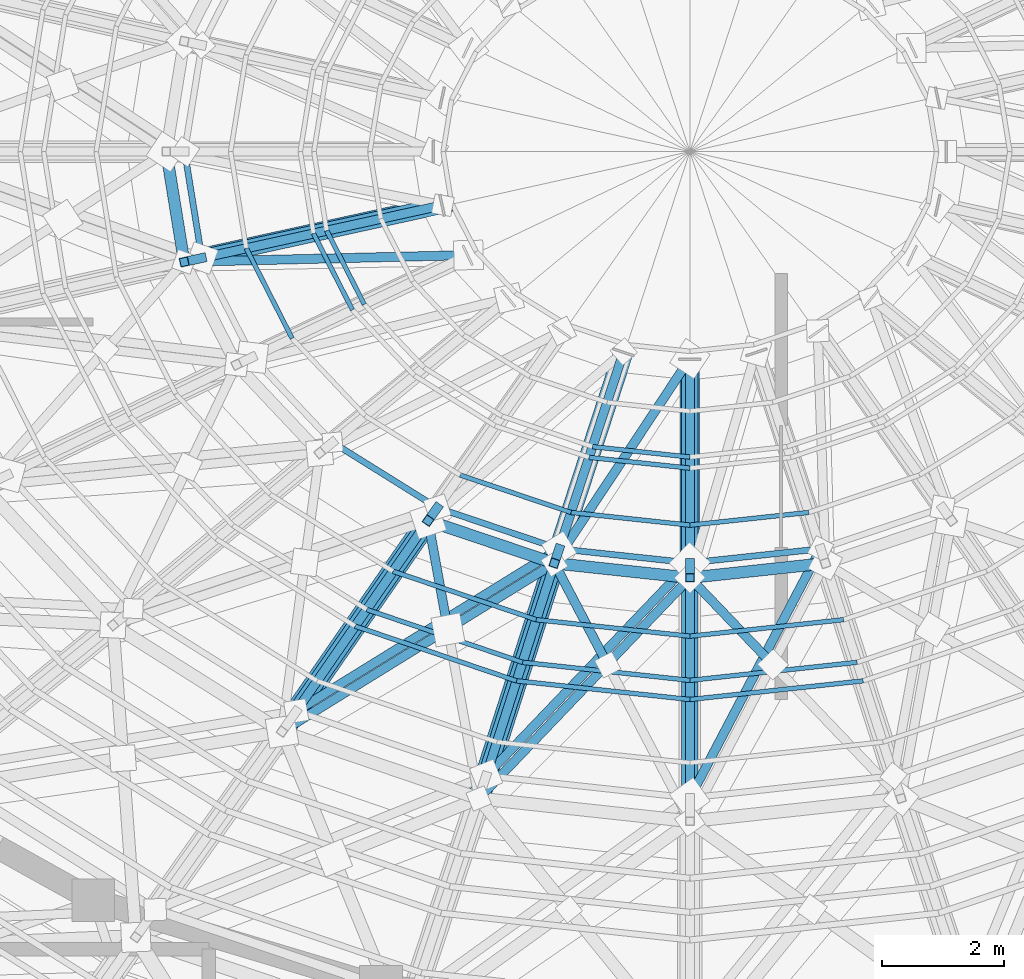
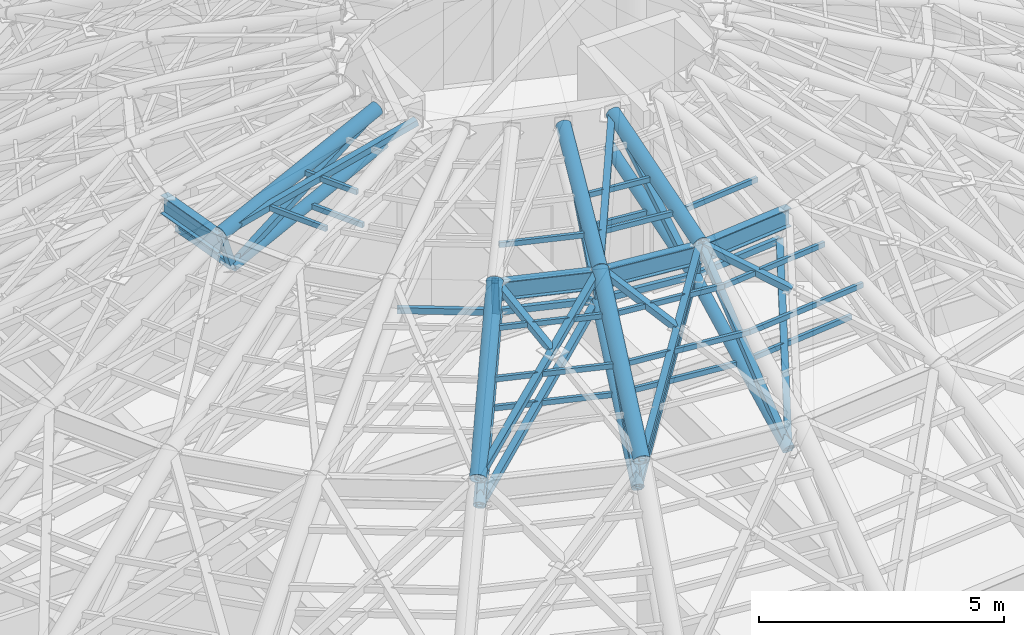
# One storey, part 10 of 50: 52 members, 4 beams.
"""IFC4 building model written with IfcOpenShell, lengths in metres."""

from ifc_helpers import new_model, si_unit, direction, frame, origin, origin_2d, place, context, subcontext, project, spatial, hollow_rectangle, hollow_circle, i_section, extrude, material, material_profile, profile_set, type_object, element, save


model = new_model("IFC4")

# Units and contexts
model_context = context("Model", 3, precision=1e-05, world=origin(), true_north=direction((0.0, 1.0)))
body_context = subcontext(model_context, "Body", "Model", "MODEL_VIEW")
ifc_project = project(units=[si_unit("LENGTHUNIT", "METRE"), si_unit("AREAUNIT", "SQUARE_METRE"), si_unit("VOLUMEUNIT", "CUBIC_METRE"), si_unit("PLANEANGLEUNIT", "RADIAN"), si_unit("MASSUNIT", "GRAM", prefix="KILO")], contexts=[model_context])

# Site, building, storey
site_placement = place(None, origin())
site = spatial("IfcSite", under=ifc_project, at=site_placement, CompositionType="ELEMENT")
building_placement = place(site_placement, origin())
building = spatial("IfcBuilding", under=site, at=building_placement, Name="Cinderbank Siding Concert Hall", CompositionType="ELEMENT")
storey_placement = place(building_placement, frame((0.0, 0.0, 23.699951171875)))
storey = spatial("IfcBuildingStorey", under=building, at=storey_placement, Name="L06", CompositionType="ELEMENT", Elevation=23.699951171875)

# Beams
ifc_material_1 = material(Name="Structural steel AS/NZS 3679.1 Grade 350 (340 MPa)", Category="steel")
ifc_material_profile_1 = material_profile(ifc_material_1, i_section(OverallWidth=0.19091796875, OverallDepth=0.46044921875, WebThickness=0.010009765625, FlangeThickness=0.01611328125, at=origin_2d()), Name="460UB82.1", Category="LoadBearing")
ifc_profile_set_1 = profile_set([ifc_material_profile_1], Name="Structural steel AS/NZS 3679.1 Grade 350 (340 MPa)")
beam_type = type_object("IfcBeamType", Name="BM-UB460H 460UB82.1", PredefinedType="BEAM", material=ifc_profile_set_1)
beam_1_placement = place(storey_placement, frame((113.39990234375, 44.0, 15.769775390625), z_axis=(0.159759377385, -0.987155986325, 0.0), x_axis=(0.987155986325, 0.159759377385, 0.0)))
element("IfcBeam", 1, at=beam_1_placement, inside=storey, type_object=beam_type, Name="L06 Beam BM-UB460H #2100", PredefinedType="BEAM", context=body_context, shape_type="SweptSolid", body=[
    extrude(i_section(OverallWidth=0.19091796875, OverallDepth=0.46044921875, WebThickness=0.010009765625, FlangeThickness=0.01611328125, at=origin_2d()), origin(), (0.0, 0.0, 1.0), 1.83544921875),
])
beam_2_placement = place(storey_placement, frame((117.699951171875, 37.937744140625, 15.769775390625), z_axis=(0.947607117252, -0.319438180769, 0.0), x_axis=(0.319438180769, 0.947607117252, 0.0)))
element("IfcBeam", 2, at=beam_2_placement, inside=storey, type_object=beam_type, Name="L06 Beam BM-UB460H #2103", PredefinedType="BEAM", context=body_context, shape_type="SweptSolid", body=[
    extrude(i_section(OverallWidth=0.19091796875, OverallDepth=0.46044921875, WebThickness=0.010009765625, FlangeThickness=0.01611328125, at=origin_2d()), origin(), (0.0, 0.0, 1.0), 2.18896484375),
])
for number, where, z_axis, x_axis, name in (
    (3, (119.774169921875, 37.238525390625, 15.769775390625), (0.994307090793, -0.106552377723, 0.0), (0.106552377723, 0.994307090793, 0.0), "L06 Beam BM-UB460H #2104"),
    (4, (122.0, 37.0, 15.769775390625), (0.994307090793, 0.106552377723, 0.0), (-0.106552377723, 0.994307090793, 0.0), "L06 Beam BM-UB460H #2105"),
):
    element("IfcBeam", number, at=place(storey_placement, frame(where, z_axis=z_axis, x_axis=x_axis)), inside=storey, type_object=beam_type, Name=name, PredefinedType="BEAM", context=body_context, shape_type="SweptSolid", body=[
        extrude(i_section(OverallWidth=0.19091796875, OverallDepth=0.46044921875, WebThickness=0.010009765625, FlangeThickness=0.01611328125, at=origin_2d()), origin(), (0.0, 0.0, 1.0), 2.238525390625),
    ])

# Members
ifc_material_2 = material(Name="Structural steel hollow section AS/NZS 1163 Grade C350L0 (350 MPa)", Category="steel")
ifc_material_profile_2 = material_profile(ifc_material_2, hollow_rectangle(XDim=0.14990234375, YDim=0.14990234375, WallThickness=0.008056640625, at=origin_2d()), Name="150x150x8.0SHS", Category="LoadBearing")
ifc_profile_set_2 = profile_set([ifc_material_profile_2], Name="Structural steel hollow section AS/NZS 1163 Grade C350L0 (350 MPa)")
member_type_1 = type_object("IfcMemberType", Name="BR-SHS150 150x150x8.0SHS Roof Truss", PredefinedType="BRACE", material=ifc_profile_set_2)
member_1_placement = place(storey_placement, frame((115.534423828125, 34.80712890625, 13.050048828125), z_axis=(0.44966610058, 0.650064082045, 0.612549661027), x_axis=(-0.822416090957, 0.568886432722, 0.0)))
element("IfcMember", 5, at=member_1_placement, inside=storey, type_object=member_type_1, Name="L06 Diagonal Brace BR-SHS150 #DWBD-BR-SHS150-L06-1586", PredefinedType="BRACE", context=body_context, shape_type="SweptSolid", body=[
    extrude(hollow_rectangle(XDim=0.14990234375, YDim=0.14990234375, WallThickness=0.008056640625, at=origin_2d()), origin(), (0.0, 0.0, 1.0), 4.81591796875),
])
member_2_placement = place(storey_placement, frame((115.300048828125, 34.4736328125, 14.0), z_axis=(0.79512586973, 0.491367481976, 0.355433325594), x_axis=(-0.525694470072, 0.850673453292, 0.0)))
element("IfcMember", 6, at=member_2_placement, inside=storey, type_object=member_type_1, Name="L06 Diagonal Brace BR-SHS150 #DBRO-BR-SHS150-L06-1593", PredefinedType="BRACE", context=body_context, shape_type="SweptSolid", body=[
    extrude(hollow_rectangle(XDim=0.14990234375, YDim=0.14990234375, WallThickness=0.008056640625, at=origin_2d()), origin(), (0.0, 0.0, 1.0), 5.626953125),
])
member_3_placement = place(storey_placement, frame((118.022216796875, 36.17041015625, 15.225341796875), z_axis=(-0.164725535954, 0.903369814222, 0.395965246654), x_axis=(-0.983778457239, -0.17938770045, 0.0)))
element("IfcMember", 7, at=member_3_placement, inside=storey, type_object=member_type_1, Name="L06 Diagonal Brace BR-SHS150 #DBRO-BR-SHS150-L06-1594-S145", PredefinedType="BRACE", context=body_context, shape_type="SweptSolid", body=[
    extrude(hollow_rectangle(XDim=0.14990234375, YDim=0.14990234375, WallThickness=0.008056640625, at=origin_2d()), origin(), (0.0, 0.0, 1.0), 1.956298828125),
])
member_4_placement = place(storey_placement, frame((115.534423828125, 34.80712890625, 13.050048828125), z_axis=(0.79145995564, 0.489062730859, 0.366618035431), x_axis=(-0.525663894449, 0.850692347487, 0.0)))
element("IfcMember", 8, at=member_4_placement, inside=storey, type_object=member_type_1, Name="L06 Diagonal Brace BR-SHS150 #DBRI-BR-SHS150-L06-1595", PredefinedType="BRACE", context=body_context, shape_type="SweptSolid", body=[
    extrude(hollow_rectangle(XDim=0.14990234375, YDim=0.14990234375, WallThickness=0.008056640625, at=origin_2d()), origin(), (0.0, 0.0, 1.0), 5.455322265625),
])
member_5_placement = place(storey_placement, frame((118.6533203125, 33.74658203125, 13.050048828125), z_axis=(0.238143684101, 0.741923135199, 0.626767618164), x_axis=(-0.95215246519, 0.305623433384, 0.0)))
element("IfcMember", 9, at=member_5_placement, inside=storey, type_object=member_type_1, Name="L06 Diagonal Brace BR-SHS150 #DWBD-BR-SHS150-L06-1598", PredefinedType="BRACE", context=body_context, shape_type="SweptSolid", body=[
    extrude(hollow_rectangle(XDim=0.14990234375, YDim=0.14990234375, WallThickness=0.008056640625, at=origin_2d()), origin(), (0.0, 0.0, 1.0), 4.70654296875),
])
member_6_placement = place(storey_placement, frame((118.53173828125, 33.374755859375, 14.0), z_axis=(0.64214700107, 0.671212221518, 0.370299044964), x_axis=(-0.722578444906, 0.691288934496, 0.0)))
element("IfcMember", 10, at=member_6_placement, inside=storey, type_object=member_type_1, Name="L06 Diagonal Brace BR-SHS150 #DBRO-BR-SHS150-L06-1605", PredefinedType="BRACE", context=body_context, shape_type="SweptSolid", body=[
    extrude(hollow_rectangle(XDim=0.14990234375, YDim=0.14990234375, WallThickness=0.008056640625, at=origin_2d()), origin(), (0.0, 0.0, 1.0), 5.401123046875),
])
member_7_placement = place(storey_placement, frame((120.637451171875, 35.594482421875, 15.224365234375), z_axis=(-0.428981614241, 0.816957633002, 0.385428333835), x_axis=(-0.885362728247, -0.464900892052, 0.0)))
element("IfcMember", 11, at=member_7_placement, inside=storey, type_object=member_type_1, Name="L06 Diagonal Brace BR-SHS150 #DBRO-BR-SHS150-L06-1606-S146", PredefinedType="BRACE", context=body_context, shape_type="SweptSolid", body=[
    extrude(hollow_rectangle(XDim=0.14990234375, YDim=0.14990234375, WallThickness=0.008056640625, at=origin_2d()), origin(), (0.0, 0.0, 1.0), 2.012451171875),
])
member_8_placement = place(storey_placement, frame((118.6533203125, 33.74658203125, 13.050048828125), z_axis=(0.638883967796, 0.667873304532, 0.381801682535), x_axis=(-0.72261557298, 0.691250123824, 0.0)))
element("IfcMember", 12, at=member_8_placement, inside=storey, type_object=member_type_1, Name="L06 Diagonal Brace BR-SHS150 #DBRI-BR-SHS150-L06-1607", PredefinedType="BRACE", context=body_context, shape_type="SweptSolid", body=[
    extrude(hollow_rectangle(XDim=0.14990234375, YDim=0.14990234375, WallThickness=0.008056640625, at=origin_2d()), origin(), (0.0, 0.0, 1.0), 5.23828125),
])
member_9_placement = place(storey_placement, frame((122.0, 33.385009765625, 13.050048828125), z_axis=(0.0, 0.774772611985, 0.632239985859), x_axis=(-1.0, 0.0, 0.0)))
element("IfcMember", 13, at=member_9_placement, inside=storey, type_object=member_type_1, Name="L06 Diagonal Brace BR-SHS150 #DWBD-BR-SHS150-L06-1610", PredefinedType="BRACE", context=body_context, shape_type="SweptSolid", body=[
    extrude(hollow_rectangle(XDim=0.14990234375, YDim=0.14990234375, WallThickness=0.008056640625, at=origin_2d()), origin(), (0.0, 0.0, 1.0), 4.665771484375),
])
member_10_placement = place(storey_placement, frame((123.346435546875, 35.592529296875, 15.2236328125), z_axis=(-0.642135488706, 0.671244078403, 0.37026126094), x_axis=(-0.722601023595, -0.691265333066, 0.0)))
element("IfcMember", 14, at=member_10_placement, inside=storey, type_object=member_type_1, Name="L06 Diagonal Brace BR-SHS150 #DBRO-BR-SHS150-L06-1618-S147", PredefinedType="BRACE", context=body_context, shape_type="SweptSolid", body=[
    extrude(hollow_rectangle(XDim=0.14990234375, YDim=0.14990234375, WallThickness=0.008056640625, at=origin_2d()), origin(), (0.0, 0.0, 1.0), 2.096923828125),
])
member_11_placement = place(storey_placement, frame((122.0, 33.385009765625, 13.050048828125), z_axis=(0.426677007954, 0.812471006394, 0.397287798268), x_axis=(-0.885339715406, 0.464944715343, 0.0)))
element("IfcMember", 15, at=member_11_placement, inside=storey, type_object=member_type_1, Name="L06 Diagonal Brace BR-SHS150 #DBRI-BR-SHS150-L06-1619", PredefinedType="BRACE", context=body_context, shape_type="SweptSolid", body=[
    extrude(hollow_rectangle(XDim=0.14990234375, YDim=0.14990234375, WallThickness=0.008056640625, at=origin_2d()), origin(), (0.0, 0.0, 1.0), 5.0341796875),
])
member_12_placement = place(storey_placement, frame((113.98388671875, 42.251708984375, 15.050048828125), z_axis=(0.871638691427, 0.191183253709, 0.451325774922), x_axis=(-0.214244713717, 0.976780017529, 0.0)))
element("IfcMember", 16, at=member_12_placement, inside=storey, type_object=member_type_1, Name="L06 Diagonal Brace BR-SHS150 #DWBD-BR-SHS150-L06-1812", PredefinedType="BRACE", context=body_context, shape_type="SweptSolid", body=[
    extrude(hollow_rectangle(XDim=0.14990234375, YDim=0.14990234375, WallThickness=0.008056640625, at=origin_2d()), origin(), (0.0, 0.0, 1.0), 4.542236328125),
])
member_13_placement = place(storey_placement, frame((113.98388671875, 42.251708984375, 15.050048828125), z_axis=(-0.292091130576, -0.063764646473, 0.954262459337), x_axis=(0.213280969958, -0.976990904693, 0.0)))
element("IfcMember", 17, at=member_13_placement, inside=storey, type_object=member_type_1, Name="L06 Diagonal Brace BR-SHS150 #DWBV-BR-SHS150-L06-1815", PredefinedType="BRACE", context=body_context, shape_type="SweptSolid", body=[
    extrude(hollow_rectangle(XDim=0.14990234375, YDim=0.14990234375, WallThickness=0.008056640625, at=origin_2d()), origin(), (0.0, 0.0, 1.0), 0.995361328125),
])
member_14_placement = place(storey_placement, frame((113.693115234375, 42.188232421875, 16.0), z_axis=(0.973090129252, 0.023300845883, 0.229243693335), x_axis=(-0.023938346527, 0.999713436724, 0.0)))
element("IfcMember", 18, at=member_14_placement, inside=storey, type_object=member_type_1, Name="L06 Diagonal Brace BR-SHS150 #DBRO-BR-SHS150-L06-1819", PredefinedType="BRACE", context=body_context, shape_type="SweptSolid", body=[
    extrude(hollow_rectangle(XDim=0.14990234375, YDim=0.14990234375, WallThickness=0.008056640625, at=origin_2d()), origin(), (0.0, 0.0, 1.0), 4.798828125),
])
member_15_placement = place(storey_placement, frame((117.8505859375, 38.14990234375, 15.050048828125), z_axis=(-0.152937825972, -0.215401897519, 0.964475009491), x_axis=(0.815378555439, -0.578928157314, 0.0)))
element("IfcMember", 19, at=member_15_placement, inside=storey, type_object=member_type_1, Name="L06 Diagonal Brace BR-SHS150 #DWBV-BR-SHS150-L06-1845", PredefinedType="BRACE", context=body_context, shape_type="SweptSolid", body=[
    extrude(hollow_rectangle(XDim=0.14990234375, YDim=0.14990234375, WallThickness=0.008056640625, at=origin_2d()), origin(), (0.0, 0.0, 1.0), 0.98486328125),
])
member_16_placement = place(storey_placement, frame((119.85205078125, 37.47509765625, 15.050048828125), z_axis=(0.266672743613, 0.814499309414, 0.515244139005), x_axis=(-0.950359410933, 0.311154286569, 0.0)))
element("IfcMember", 20, at=member_16_placement, inside=storey, type_object=member_type_1, Name="L06 Diagonal Brace BR-SHS150 #DWBD-BR-SHS150-L06-1852", PredefinedType="BRACE", context=body_context, shape_type="SweptSolid", body=[
    extrude(hollow_rectangle(XDim=0.14990234375, YDim=0.14990234375, WallThickness=0.008056640625, at=origin_2d()), origin(), (0.0, 0.0, 1.0), 3.978759765625),
])
member_17_placement = place(storey_placement, frame((119.85205078125, 37.47509765625, 15.050048828125), z_axis=(-0.079303678381, -0.240894245615, 0.967305995549), x_axis=(0.949853023351, -0.312696712537, 0.0)))
element("IfcMember", 21, at=member_17_placement, inside=storey, type_object=member_type_1, Name="L06 Diagonal Brace BR-SHS150 #DWBV-BR-SHS150-L06-1855", PredefinedType="BRACE", context=body_context, shape_type="SweptSolid", body=[
    extrude(hollow_rectangle(XDim=0.14990234375, YDim=0.14990234375, WallThickness=0.008056640625, at=origin_2d()), origin(), (0.0, 0.0, 1.0), 0.982177734375),
])
member_18_placement = place(storey_placement, frame((119.774169921875, 37.238525390625, 16.0), z_axis=(0.532612568878, 0.804381096949, 0.263239249245), x_axis=(-0.833788325129, 0.552084258857, 0.0)))
element("IfcMember", 22, at=member_18_placement, inside=storey, type_object=member_type_1, Name="L06 Diagonal Brace BR-SHS150 #DBRO-BR-SHS150-L06-1859", PredefinedType="BRACE", context=body_context, shape_type="SweptSolid", body=[
    extrude(hollow_rectangle(XDim=0.14990234375, YDim=0.14990234375, WallThickness=0.008056640625, at=origin_2d()), origin(), (0.0, 0.0, 1.0), 4.17919921875),
])
member_19_placement = place(storey_placement, frame((122.0, 37.2451171875, 15.050048828125), z_axis=(0.0, 0.853306391538, 0.521409821696), x_axis=(-1.0, 0.0, 0.0)))
element("IfcMember", 23, at=member_19_placement, inside=storey, type_object=member_type_1, Name="L06 Diagonal Brace BR-SHS150 #DWBD-BR-SHS150-L06-1862", PredefinedType="BRACE", context=body_context, shape_type="SweptSolid", body=[
    extrude(hollow_rectangle(XDim=0.14990234375, YDim=0.14990234375, WallThickness=0.008056640625, at=origin_2d()), origin(), (0.0, 0.0, 1.0), 3.931640625),
])
member_20_placement = place(storey_placement, frame((122.0, 37.2451171875, 15.050048828125), z_axis=(0.0, -0.249847913818, 0.968285092295), x_axis=(1.0, 0.0, 0.0)))
element("IfcMember", 24, at=member_20_placement, inside=storey, type_object=member_type_1, Name="L06 Diagonal Brace BR-SHS150 #DWBV-BR-SHS150-L06-1865", PredefinedType="BRACE", context=body_context, shape_type="SweptSolid", body=[
    extrude(hollow_rectangle(XDim=0.14990234375, YDim=0.14990234375, WallThickness=0.008056640625, at=origin_2d()), origin(), (0.0, 0.0, 1.0), 0.98095703125),
])
ifc_material_profile_3 = material_profile(ifc_material_2, hollow_circle(Radius=0.136474609375, WallThickness=0.00927734375, at=origin_2d()), Name="273.1x9.3CHS", Category="LoadBearing")
ifc_profile_set_3 = profile_set([ifc_material_profile_3], Name="Structural steel hollow section AS/NZS 1163 Grade C350L0 (350 MPa)")
member_type_2 = type_object("IfcMemberType", Name="DR-CHS273 273.1x9.3CHS Roof Truss", PredefinedType="RAFTER", material=ifc_profile_set_3)
member_21_placement = place(storey_placement, frame((115.534423828125, 34.80712890625, 13.050048828125), z_axis=(0.511071945426, 0.737598511307, 0.441309305041), x_axis=(-0.821969527033, 0.569531471149, 0.0)))
element("IfcMember", 25, at=member_21_placement, inside=storey, type_object=member_type_2, Name="L06 Roof Truss Member DR-CHS273 #1585", PredefinedType="RAFTER", context=body_context, shape_type="SweptSolid", body=[
    extrude(hollow_circle(Radius=0.136474609375, WallThickness=0.00927734375, at=origin_2d()), origin(), (0.0, 0.0, 1.0), 4.531982421875),
])
member_22_placement = place(storey_placement, frame((118.6533203125, 33.74658203125, 13.050048828125), z_axis=(0.272588147626, 0.847854621293, 0.454794726141), x_axis=(-0.95200780418, 0.306073750558, 0.0)))
element("IfcMember", 26, at=member_22_placement, inside=storey, type_object=member_type_2, Name="L06 Roof Truss Member DR-CHS273 #1597", PredefinedType="RAFTER", context=body_context, shape_type="SweptSolid", body=[
    extrude(hollow_circle(Radius=0.136474609375, WallThickness=0.00927734375, at=origin_2d()), origin(), (0.0, 0.0, 1.0), 4.397705078125),
])
member_23_placement = place(storey_placement, frame((122.0, 33.385009765625, 13.050048828125), z_axis=(0.0, 0.887898978263, 0.460038481433), x_axis=(-1.0, 0.0, 0.0)))
element("IfcMember", 27, at=member_23_placement, inside=storey, type_object=member_type_2, Name="L06 Roof Truss Member DR-CHS273 #1609", PredefinedType="RAFTER", context=body_context, shape_type="SweptSolid", body=[
    extrude(hollow_circle(Radius=0.136474609375, WallThickness=0.00927734375, at=origin_2d()), origin(), (0.0, 0.0, 1.0), 4.347412109375),
])
member_24_placement = place(storey_placement, frame((113.98388671875, 42.251708984375, 15.050048828125), z_axis=(0.944905566879, 0.207160378762, 0.253452258132), x_axis=(-0.214152922142, 0.976800146365, 0.0)))
element("IfcMember", 28, at=member_24_placement, inside=storey, type_object=member_type_2, Name="L06 Roof Truss Member DR-CHS273 #1811", PredefinedType="RAFTER", context=body_context, shape_type="SweptSolid", body=[
    extrude(hollow_circle(Radius=0.136474609375, WallThickness=0.00927734375, at=origin_2d()), origin(), (0.0, 0.0, 1.0), 4.34033203125),
])
member_25_placement = place(storey_placement, frame((122.0, 37.2451171875, 15.050048828125), z_axis=(0.0, 0.953339332867, 0.301900838702), x_axis=(-1.0, 0.0, 0.0)))
element("IfcMember", 29, at=member_25_placement, inside=storey, type_object=member_type_2, Name="L06 Roof Truss Member DR-CHS273 #1861", PredefinedType="RAFTER", context=body_context, shape_type="SweptSolid", body=[
    extrude(hollow_circle(Radius=0.136474609375, WallThickness=0.00927734375, at=origin_2d()), origin(), (0.0, 0.0, 1.0), 3.643798828125),
])
ifc_material_profile_4 = material_profile(ifc_material_2, hollow_circle(Radius=0.161865234375, WallThickness=0.0126953125, at=origin_2d()), Name="323.9x12.7CHS", Category="LoadBearing")
ifc_profile_set_4 = profile_set([ifc_material_profile_4], Name="Structural steel hollow section AS/NZS 1163 Grade C350L0 (350 MPa)")
member_type_3 = type_object("IfcMemberType", Name="DR-CHS323 323.9x12.7CHS Roof Truss", PredefinedType="RAFTER", material=ifc_profile_set_4)
member_26_placement = place(storey_placement, frame((113.693115234375, 42.188232421875, 16.0), z_axis=(0.947001175826, 0.207601681046, 0.245133259699), x_axis=(-0.214135071865, 0.976804059675, 0.0)))
element("IfcMember", 30, at=member_26_placement, inside=storey, type_object=member_type_3, Name="L06 Roof Truss Member DR-CHS323 #1810", PredefinedType="RAFTER", context=body_context, shape_type="SweptSolid", body=[
    extrude(hollow_circle(Radius=0.161865234375, WallThickness=0.0126953125, at=origin_2d()), origin(), (0.0, 0.0, 1.0), 4.455810546875),
])
member_27_placement = place(storey_placement, frame((119.774169921875, 37.238525390625, 16.0), z_axis=(0.298079462392, 0.910089564814, 0.287898624723), x_axis=(-0.950325499871, 0.311257842141, 0.0)))
element("IfcMember", 31, at=member_27_placement, inside=storey, type_object=member_type_3, Name="L06 Roof Truss Member DR-CHS323 #1850", PredefinedType="RAFTER", context=body_context, shape_type="SweptSolid", body=[
    extrude(hollow_circle(Radius=0.161865234375, WallThickness=0.0126953125, at=origin_2d()), origin(), (0.0, 0.0, 1.0), 3.788818359375),
])
member_28_placement = place(storey_placement, frame((122.0, 37.0, 16.0), z_axis=(0.0, 0.956355633379, 0.292205240377), x_axis=(-1.0, 0.0, 0.0)))
element("IfcMember", 32, at=member_28_placement, inside=storey, type_object=member_type_3, Name="L06 Roof Truss Member DR-CHS323 #1860", PredefinedType="RAFTER", context=body_context, shape_type="SweptSolid", body=[
    extrude(hollow_circle(Radius=0.161865234375, WallThickness=0.0126953125, at=origin_2d()), origin(), (0.0, 0.0, 1.0), 3.732177734375),
])
ifc_material_profile_5 = material_profile(ifc_material_2, hollow_circle(Radius=0.177734375, WallThickness=0.0126953125, at=origin_2d()), Name="355.6x12.7CHS", Category="LoadBearing")
ifc_profile_set_5 = profile_set([ifc_material_profile_5], Name="Structural steel hollow section AS/NZS 1163 Grade C350L0 (350 MPa)")
member_type_4 = type_object("IfcMemberType", Name="DR-CHS355 355.6x12.7CHS Roof Truss", PredefinedType="RAFTER", material=ifc_profile_set_5)
member_29_placement = place(storey_placement, frame((115.300048828125, 34.4736328125, 14.0), z_axis=(0.51447956634, 0.742619589705, 0.428750417849), x_axis=(-0.822006531682, 0.569478060923, 0.0)))
element("IfcMember", 33, at=member_29_placement, inside=storey, type_object=member_type_4, Name="L06 Roof Truss Member DR-CHS355 #1584", PredefinedType="RAFTER", context=body_context, shape_type="SweptSolid", body=[
    extrude(hollow_circle(Radius=0.177734375, WallThickness=0.0126953125, at=origin_2d()), origin(), (0.0, 0.0, 1.0), 4.664794921875),
])
member_30_placement = place(storey_placement, frame((118.53173828125, 33.374755859375, 14.0), z_axis=(0.274592480014, 0.853939985988, 0.442024286946), x_axis=(-0.951992253749, 0.3061221142, 0.0)))
element("IfcMember", 34, at=member_30_placement, inside=storey, type_object=member_type_4, Name="L06 Roof Truss Member DR-CHS355 #1596", PredefinedType="RAFTER", context=body_context, shape_type="SweptSolid", body=[
    extrude(hollow_circle(Radius=0.177734375, WallThickness=0.0126953125, at=origin_2d()), origin(), (0.0, 0.0, 1.0), 4.524658203125),
])
ifc_material_profile_6 = material_profile(ifc_material_2, hollow_rectangle(XDim=0.074951171875, YDim=0.125, WallThickness=0.0048828125, at=origin_2d()), Name="125x75x5.0RHS", Category="LoadBearing")
ifc_profile_set_6 = profile_set([ifc_material_profile_6], Name="Structural steel hollow section AS/NZS 1163 Grade C350L0 (350 MPa)")
member_type_5 = type_object("IfcMemberType", Name="PR-RHS125 125x75x5.0RHS Roof Truss", PredefinedType="PURLIN", material=ifc_profile_set_6)
member_31_placement = place(storey_placement, frame((116.6923828125, 36.478515625, 14.050048828125), z_axis=(0.947118458483, -0.320884131114, 0.0), x_axis=(0.320884131114, 0.947118458483, 0.0)))
element("IfcMember", 35, at=member_31_placement, inside=storey, type_object=member_type_5, Name="L06 Roof Truss Member PR-RHS125 #1588", PredefinedType="PURLIN", context=body_context, shape_type="SweptSolid", body=[
    extrude(hollow_rectangle(XDim=0.074951171875, YDim=0.125, WallThickness=0.0048828125, at=origin_2d()), origin(), (0.0, 0.0, 1.0), 2.703369140625),
])
member_32_placement = place(storey_placement, frame((116.5, 36.205810546875, 15.0), z_axis=(0.947085190011, -0.320982309267, 0.0), x_axis=(0.320982309267, 0.947085190011, 0.0)))
element("IfcMember", 36, at=member_32_placement, inside=storey, type_object=member_type_5, Name="L06 Roof Truss Member PR-RHS125 #1591", PredefinedType="PURLIN", context=body_context, shape_type="SweptSolid", body=[
    extrude(hollow_rectangle(XDim=0.074951171875, YDim=0.125, WallThickness=0.0048828125, at=origin_2d()), origin(), (0.0, 0.0, 1.0), 2.80126953125),
])
member_33_placement = place(storey_placement, frame((117.1240234375, 37.1064453125, 15.52001953125), z_axis=(0.947327545455, -0.320266329204, 0.0), x_axis=(0.320266329204, 0.947327545455, 0.0)))
element("IfcMember", 37, at=member_33_placement, inside=storey, type_object=member_type_5, Name="L06 Roof Truss Member PR-RHS125 #1592", PredefinedType="PURLIN", context=body_context, shape_type="SweptSolid", body=[
    extrude(hollow_rectangle(XDim=0.074951171875, YDim=0.125, WallThickness=0.0048828125, at=origin_2d()), origin(), (0.0, 0.0, 1.0), 2.48291015625),
])
member_34_placement = place(storey_placement, frame((119.252685546875, 35.611083984375, 14.050048828125), z_axis=(0.994240427039, -0.107172632898, 0.0), x_axis=(0.107172632898, 0.994240427039, 0.0)))
element("IfcMember", 38, at=member_34_placement, inside=storey, type_object=member_type_5, Name="L06 Roof Truss Member PR-RHS125 #1600", PredefinedType="PURLIN", context=body_context, shape_type="SweptSolid", body=[
    extrude(hollow_rectangle(XDim=0.074951171875, YDim=0.125, WallThickness=0.0048828125, at=origin_2d()), origin(), (0.0, 0.0, 1.0), 2.76318359375),
])
member_35_placement = place(storey_placement, frame((119.153076171875, 35.306640625, 15.0), z_axis=(0.994249324739, -0.107090056759, 0.0), x_axis=(0.107090056759, 0.994249324739, 0.0)))
element("IfcMember", 39, at=member_35_placement, inside=storey, type_object=member_type_5, Name="L06 Roof Truss Member PR-RHS125 #1603", PredefinedType="PURLIN", context=body_context, shape_type="SweptSolid", body=[
    extrude(hollow_rectangle(XDim=0.074951171875, YDim=0.125, WallThickness=0.0048828125, at=origin_2d()), origin(), (0.0, 0.0, 1.0), 2.86328125),
])
member_36_placement = place(storey_placement, frame((119.47607421875, 36.311279296875, 15.52001953125), z_axis=(0.994274901123, -0.10685233267, 0.0), x_axis=(0.10685233267, 0.994274901123, 0.0)))
element("IfcMember", 40, at=member_36_placement, inside=storey, type_object=member_type_5, Name="L06 Roof Truss Member PR-RHS125 #1604", PredefinedType="PURLIN", context=body_context, shape_type="SweptSolid", body=[
    extrude(hollow_rectangle(XDim=0.074951171875, YDim=0.125, WallThickness=0.0048828125, at=origin_2d()), origin(), (0.0, 0.0, 1.0), 2.53857421875),
])
member_37_placement = place(storey_placement, frame((122.0, 35.31494140625, 14.050048828125), z_axis=(0.994240427039, 0.107172632898, 0.0), x_axis=(-0.107172632898, 0.994240427039, 0.0)))
element("IfcMember", 41, at=member_37_placement, inside=storey, type_object=member_type_5, Name="L06 Roof Truss Member PR-RHS125 #1612", PredefinedType="PURLIN", context=body_context, shape_type="SweptSolid", body=[
    extrude(hollow_rectangle(XDim=0.074951171875, YDim=0.125, WallThickness=0.0048828125, at=origin_2d()), origin(), (0.0, 0.0, 1.0), 2.76318359375),
])
member_38_placement = place(storey_placement, frame((122.0, 35.0, 15.0), z_axis=(0.994249324739, 0.107090056759, 0.0), x_axis=(-0.107090056759, 0.994249324739, 0.0)))
element("IfcMember", 42, at=member_38_placement, inside=storey, type_object=member_type_5, Name="L06 Roof Truss Member PR-RHS125 #1615", PredefinedType="PURLIN", context=body_context, shape_type="SweptSolid", body=[
    extrude(hollow_rectangle(XDim=0.074951171875, YDim=0.125, WallThickness=0.0048828125, at=origin_2d()), origin(), (0.0, 0.0, 1.0), 2.86328125),
])
member_39_placement = place(storey_placement, frame((122.0, 36.0400390625, 15.52001953125), z_axis=(0.994274901123, 0.10685233267, 0.0), x_axis=(-0.10685233267, 0.994274901123, 0.0)))
element("IfcMember", 43, at=member_39_placement, inside=storey, type_object=member_type_5, Name="L06 Roof Truss Member PR-RHS125 #1616", PredefinedType="PURLIN", context=body_context, shape_type="SweptSolid", body=[
    extrude(hollow_rectangle(XDim=0.074951171875, YDim=0.125, WallThickness=0.0048828125, at=origin_2d()), origin(), (0.0, 0.0, 1.0), 2.53857421875),
])
member_40_placement = place(storey_placement, frame((116.034423828125, 42.701416015625, 15.60009765625), z_axis=(0.454100748622, -0.890950340985, 0.0), x_axis=(0.890950340985, 0.454100748622, 0.0)))
element("IfcMember", 44, at=member_40_placement, inside=storey, type_object=member_type_5, Name="L06 Roof Truss Member PR-RHS125 #1814", PredefinedType="PURLIN", context=body_context, shape_type="SweptSolid", body=[
    extrude(hollow_rectangle(XDim=0.074951171875, YDim=0.125, WallThickness=0.0048828125, at=origin_2d()), origin(), (0.0, 0.0, 1.0), 1.358642578125),
])
member_41_placement = place(storey_placement, frame((114.712890625, 42.411865234375, 16.26416015625), z_axis=(0.453903761928, -0.891050713993, 0.0), x_axis=(0.891050713993, 0.453903761928, 0.0)))
element("IfcMember", 45, at=member_41_placement, inside=storey, type_object=member_type_5, Name="L06 Roof Truss Member PR-RHS125 #1816", PredefinedType="PURLIN", context=body_context, shape_type="SweptSolid", body=[
    extrude(hollow_rectangle(XDim=0.074951171875, YDim=0.125, WallThickness=0.0048828125, at=origin_2d()), origin(), (0.0, 0.0, 1.0), 1.660888671875),
])
member_42_placement = place(storey_placement, frame((115.818115234375, 42.654296875, 16.550048828125), z_axis=(0.454136172601, -0.890932285157, 0.0), x_axis=(0.890932285157, 0.454136172601, 0.0)))
element("IfcMember", 46, at=member_42_placement, inside=storey, type_object=member_type_5, Name="L06 Roof Truss Member PR-RHS125 #1817", PredefinedType="PURLIN", context=body_context, shape_type="SweptSolid", body=[
    extrude(hollow_rectangle(XDim=0.074951171875, YDim=0.125, WallThickness=0.0048828125, at=origin_2d()), origin(), (0.0, 0.0, 1.0), 1.407958984375),
])
member_43_placement = place(storey_placement, frame((118.22802734375, 38.68603515625, 16.26416015625), z_axis=(0.947661176794, -0.319277769345, 0.0), x_axis=(0.319277769345, 0.947661176794, 0.0)))
element("IfcMember", 47, at=member_43_placement, inside=storey, type_object=member_type_5, Name="L06 Roof Truss Member PR-RHS125 #1846", PredefinedType="PURLIN", context=body_context, shape_type="SweptSolid", body=[
    extrude(hollow_rectangle(XDim=0.074951171875, YDim=0.125, WallThickness=0.0048828125, at=origin_2d()), origin(), (0.0, 0.0, 1.0), 1.920166015625),
])
member_44_placement = place(storey_placement, frame((120.401611328125, 39.153076171875, 15.60009765625), z_axis=(0.994316620671, -0.106463410889, 0.0), x_axis=(0.106463410889, 0.994316620671, 0.0)))
element("IfcMember", 48, at=member_44_placement, inside=storey, type_object=member_type_5, Name="L06 Roof Truss Member PR-RHS125 #1854", PredefinedType="PURLIN", context=body_context, shape_type="SweptSolid", body=[
    extrude(hollow_rectangle(XDim=0.074951171875, YDim=0.125, WallThickness=0.0048828125, at=origin_2d()), origin(), (0.0, 0.0, 1.0), 1.607421875),
])
member_45_placement = place(storey_placement, frame((120.047607421875, 38.072998046875, 16.26416015625), z_axis=(0.99431996749, -0.106432148577, 0.0), x_axis=(0.106432148577, 0.99431996749, 0.0)))
element("IfcMember", 49, at=member_45_placement, inside=storey, type_object=member_type_5, Name="L06 Roof Truss Member PR-RHS125 #1856", PredefinedType="PURLIN", context=body_context, shape_type="SweptSolid", body=[
    extrude(hollow_rectangle(XDim=0.074951171875, YDim=0.125, WallThickness=0.0048828125, at=origin_2d()), origin(), (0.0, 0.0, 1.0), 1.963623046875),
])
member_46_placement = place(storey_placement, frame((120.343505859375, 38.977294921875, 16.550048828125), z_axis=(0.994324113007, -0.106393412829, 0.0), x_axis=(0.106393412829, 0.994324113007, 0.0)))
element("IfcMember", 50, at=member_46_placement, inside=storey, type_object=member_type_5, Name="L06 Roof Truss Member PR-RHS125 #1857", PredefinedType="PURLIN", context=body_context, shape_type="SweptSolid", body=[
    extrude(hollow_rectangle(XDim=0.074951171875, YDim=0.125, WallThickness=0.0048828125, at=origin_2d()), origin(), (0.0, 0.0, 1.0), 1.666015625),
])
member_47_placement = place(storey_placement, frame((122.0, 37.864013671875, 16.26416015625), z_axis=(0.99431996749, 0.106432148577, 0.0), x_axis=(-0.106432148577, 0.99431996749, 0.0)))
element("IfcMember", 51, at=member_47_placement, inside=storey, type_object=member_type_5, Name="L06 Roof Truss Member PR-RHS125 #1866", PredefinedType="PURLIN", context=body_context, shape_type="SweptSolid", body=[
    extrude(hollow_rectangle(XDim=0.074951171875, YDim=0.125, WallThickness=0.0048828125, at=origin_2d()), origin(), (0.0, 0.0, 1.0), 1.963623046875),
])
ifc_material_profile_7 = material_profile(ifc_material_2, hollow_rectangle(XDim=0.10009765625, YDim=0.14990234375, WallThickness=0.006103515625, at=origin_2d()), Name="150x100x6.0RHS", Category="LoadBearing")
ifc_profile_set_7 = profile_set([ifc_material_profile_7], Name="Structural steel hollow section AS/NZS 1163 Grade C350L0 (350 MPa)")
member_type_6 = type_object("IfcMemberType", Name="PR-RHS150 150x100x6.0RHS Roof Truss", PredefinedType="PURLIN", material=ifc_profile_set_7)
member_48_placement = place(storey_placement, frame((113.700927734375, 44.0, 15.050048828125), z_axis=(0.159769840186, -0.987154292989, 0.0), x_axis=(0.987154292989, 0.159769840186, 0.0)))
element("IfcMember", 52, at=member_48_placement, inside=storey, type_object=member_type_6, Name="L06 Roof Truss Member PR-RHS150 #1539", PredefinedType="PURLIN", context=body_context, shape_type="SweptSolid", body=[
    extrude(hollow_rectangle(XDim=0.10009765625, YDim=0.14990234375, WallThickness=0.006103515625, at=origin_2d()), origin(), (0.0, 0.0, 1.0), 1.77099609375),
])
member_49_placement = place(storey_placement, frame((116.131591796875, 39.223388671875, 15.050048828125), z_axis=(0.848194509168, -0.529684882376, 0.0), x_axis=(0.529684882376, 0.848194509168, 0.0)))
element("IfcMember", 53, at=member_49_placement, inside=storey, type_object=member_type_6, Name="L06 Roof Truss Member PR-RHS150 #1575", PredefinedType="PURLIN", context=body_context, shape_type="SweptSolid", body=[
    extrude(hollow_rectangle(XDim=0.10009765625, YDim=0.14990234375, WallThickness=0.006103515625, at=origin_2d()), origin(), (0.0, 0.0, 1.0), 2.026611328125),
])
member_50_placement = place(storey_placement, frame((117.8505859375, 38.14990234375, 15.050048828125), z_axis=(0.94759117017, -0.319485483575, 0.0), x_axis=(0.319485483575, 0.94759117017, 0.0)))
element("IfcMember", 54, at=member_50_placement, inside=storey, type_object=member_type_6, Name="L06 Roof Truss Member PR-RHS150 #1587", PredefinedType="PURLIN", context=body_context, shape_type="SweptSolid", body=[
    extrude(hollow_rectangle(XDim=0.10009765625, YDim=0.14990234375, WallThickness=0.006103515625, at=origin_2d()), origin(), (0.0, 0.0, 1.0), 2.112060546875),
])
for number, where, z_axis, x_axis, name in (
    (55, (119.85205078125, 37.47509765625, 15.050048828125), (0.994316847261, -0.106461294626, 0.0), (0.106461294626, 0.994316847261, 0.0), "L06 Roof Truss Member PR-RHS150 #1599"),
    (56, (122.0, 37.2451171875, 15.050048828125), (0.994316847261, 0.106461294626, 0.0), (-0.106461294626, 0.994316847261, 0.0), "L06 Roof Truss Member PR-RHS150 #1611"),
):
    element("IfcMember", number, at=place(storey_placement, frame(where, z_axis=z_axis, x_axis=x_axis)), inside=storey, type_object=member_type_6, Name=name, PredefinedType="PURLIN", context=body_context, shape_type="SweptSolid", body=[
        extrude(hollow_rectangle(XDim=0.10009765625, YDim=0.14990234375, WallThickness=0.006103515625, at=origin_2d()), origin(), (0.0, 0.0, 1.0), 2.16015625),
    ])

save(model, "model.ifc")
